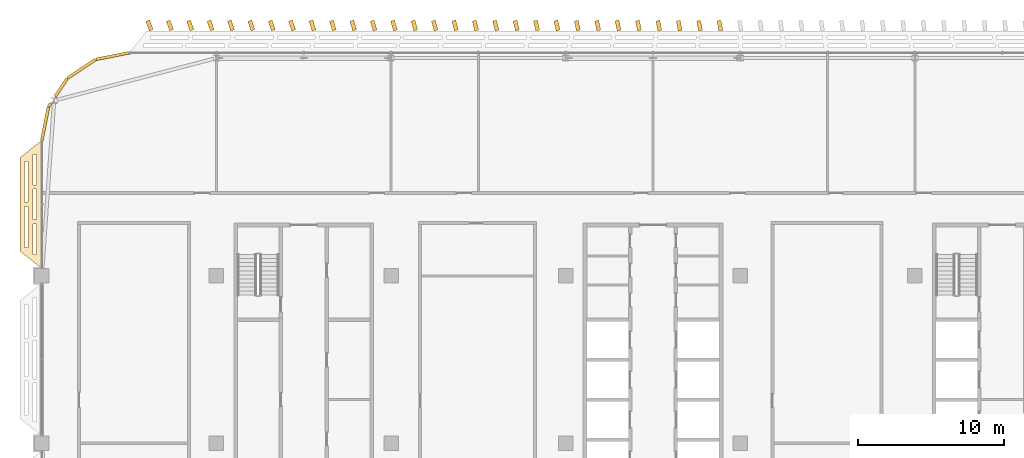
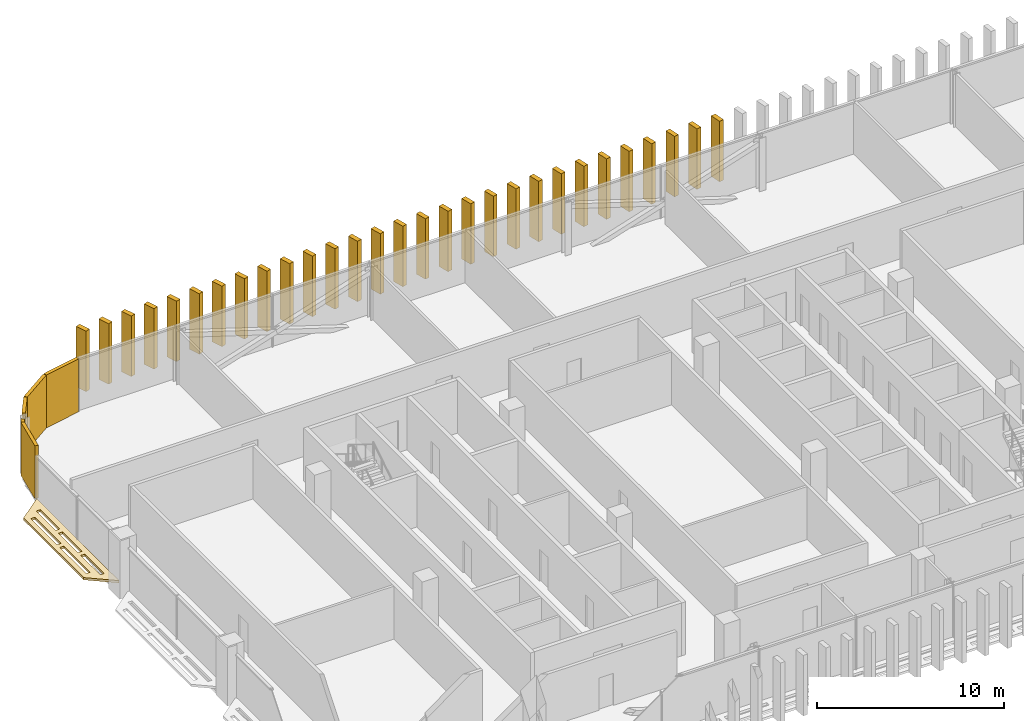
# One storey, part 32 of 35: 35 coverings.
"""IFC4 building model written with IfcOpenShell, lengths in metres."""

from ifc_helpers import new_model, si_unit, direction, frame, origin, origin_2d, place, context, subcontext, project, spatial, polyline, rectangle, outline, extrude, material, layer, layer_set, type_object, element, save


model = new_model("IFC4")

# Units and contexts
model_context = context("Model", 3, precision=1e-05, world=origin(), true_north=direction((0.0, 1.0)))
body_context = subcontext(model_context, "Body", "Model", "MODEL_VIEW")
ifc_project = project(units=[si_unit("LENGTHUNIT", "METRE"), si_unit("AREAUNIT", "SQUARE_METRE"), si_unit("VOLUMEUNIT", "CUBIC_METRE"), si_unit("PLANEANGLEUNIT", "RADIAN"), si_unit("MASSUNIT", "GRAM", prefix="KILO")], contexts=[model_context])

# Site, building, storey
site_placement = place(None, origin())
site = spatial("IfcSite", under=ifc_project, at=site_placement, CompositionType="ELEMENT")
building_placement = place(site_placement, origin())
building = spatial("IfcBuilding", under=site, at=building_placement, Name="Mahtab Terrace Research Tower", CompositionType="ELEMENT")
storey_placement = place(building_placement, frame((0.0, 0.0, 251.39990234375)))
storey = spatial("IfcBuildingStorey", under=building, at=storey_placement, Name="L61", CompositionType="ELEMENT", Elevation=251.39990234375)

# Coverings
ifc_material_1 = material(Name="Black aluminium cladding panel", Category="aluminium")
ifc_layer_1 = layer(ifc_material_1, 0.199951171875)
ifc_layer_set_1 = layer_set([ifc_layer_1], Name="Black metal corner cladding 200")
covering_type_1 = type_object("IfcCoveringType", Name="Black metal corner cladding 200", PredefinedType="CLADDING", material=ifc_layer_set_1)
for number, where, z_axis, x_axis, name in (
    (1, (-37.14794921875, 26.60546875, 0.0), (0.0, 0.0, 1.0), (-0.980760981187, -0.195212442692, 0.0), "Corner cladding L61 5"),
    (2, (-39.26953125, 25.72705078125, 0.0), (0.0, 0.0, 1.0), (-0.831655794326, -0.555291490808, 0.0), "Corner cladding L61 6"),
):
    element("IfcCovering", number, at=place(storey_placement, frame(where, z_axis=z_axis, x_axis=x_axis)), inside=storey, type_object=covering_type_1, Name=name, PredefinedType="CLADDING", context=body_context, shape_type="SweptSolid", body=[
        extrude(rectangle(XDim=2.30126953125, YDim=0.199951171875, at=origin_2d()), origin(), (0.0, 0.0, 1.0), 3.4599609375),
    ])
covering_1_placement = place(storey_placement, frame((-40.668212890625, 24.440185546875, 0.0), z_axis=(0.0, 0.0, 1.0), x_axis=(-0.555291490808, -0.831655794326, 0.0)))
element("IfcCovering", 3, at=covering_1_placement, inside=storey, type_object=covering_type_1, Name="Corner cladding L61 7", PredefinedType="CLADDING", context=body_context, shape_type="SweptSolid", body=[
    extrude(rectangle(XDim=1.491455078125, YDim=0.199951171875, at=origin_2d()), origin(), (0.0, 0.0, 1.0), 3.4599609375),
])
covering_2_placement = place(storey_placement, frame((-41.45849609375, 23.256591796875, 0.0), z_axis=(0.0, 0.0, 1.0), x_axis=(-0.555291490808, -0.831655794326, 0.0)))
element("IfcCovering", 4, at=covering_2_placement, inside=storey, type_object=covering_type_1, Name="Corner cladding L61 8", PredefinedType="CLADDING", context=body_context, shape_type="SweptSolid", body=[
    extrude(rectangle(XDim=0.2841796875, YDim=0.199951171875, at=origin_2d()), origin(), (0.0, 0.0, 1.0), 3.4599609375),
])
covering_3_placement = place(storey_placement, frame((-41.771484375, 21.98193359375, 0.0), z_axis=(0.0, 0.0, 1.0), x_axis=(-0.195212442692, -0.980760981187, 0.0)))
element("IfcCovering", 5, at=covering_3_placement, inside=storey, type_object=covering_type_1, Name="Corner cladding L61 9", PredefinedType="CLADDING", context=body_context, shape_type="SweptSolid", body=[
    extrude(rectangle(XDim=2.30126953125, YDim=0.199951171875, at=origin_2d()), origin(), (0.0, 0.0, 1.0), 3.4599609375),
])
ifc_material_2 = material(Name="Black anodised aluminium", Category="aluminium")
ifc_layer_2 = layer(ifc_material_2, 0.14990234375)
ifc_layer_set_2 = layer_set([ifc_layer_2], Name="Horizontal sunshade band")
covering_type_2 = type_object("IfcCoveringType", Name="Horizontal sunshade band", PredefinedType="CLADDING", material=ifc_layer_set_2)
covering_4_placement = place(storey_placement, frame((0.0, 0.0, -0.14990234375)))
element("IfcCovering", 6, at=covering_4_placement, inside=storey, type_object=covering_type_2, Name="Sunshade band L61 10", PredefinedType="CLADDING", context=body_context, shape_type="SweptSolid", body=[
    extrude(outline(polyline([(-42.0, 20.833984375), (-42.0, 12.0), (-43.5, 13.199951171875), (-43.5, 19.634033203125), (-42.0, 20.833984375)]), holes=[polyline([(-42.35009765625, 19.85400390625), (-42.35009765625, 17.762939453125), (-42.60009765625, 17.762939453125), (-42.60009765625, 19.85400390625), (-42.35009765625, 19.85400390625)]), polyline([(-42.35009765625, 17.462890625), (-42.35009765625, 15.37109375), (-42.60009765625, 15.37109375), (-42.60009765625, 17.462890625), (-42.35009765625, 17.462890625)]), polyline([(-42.35009765625, 15.071044921875), (-42.35009765625, 12.97998046875), (-42.60009765625, 12.97998046875), (-42.60009765625, 15.071044921875), (-42.35009765625, 15.071044921875)]), polyline([(-42.949951171875, 19.3740234375), (-42.949951171875, 16.56689453125), (-43.199951171875, 16.56689453125), (-43.199951171875, 19.3740234375), (-42.949951171875, 19.3740234375)]), polyline([(-42.949951171875, 16.26708984375), (-42.949951171875, 13.4599609375), (-43.199951171875, 13.4599609375), (-43.199951171875, 16.26708984375), (-42.949951171875, 16.26708984375)])]), origin(), (0.0, 0.0, 1.0), 0.14990234375),
])
ifc_material_3 = material(Name="Bronze anodised aluminium", Category="aluminium")
ifc_layer_3 = layer(ifc_material_3, 0.1201171875)
ifc_layer_set_3 = layer_set([ifc_layer_3], Name="Vertical fin 700")
covering_type_3 = type_object("IfcCoveringType", Name="Vertical fin 700", PredefinedType="CLADDING", material=ifc_layer_set_3)
for number, where, z_axis, x_axis, name in (
    (7, (4.60009765625, 28.703369140625, -0.14990234375), (0.0, 0.0, 1.0), (-0.983780848524, -0.179374585932, 0.0), "Fin L61 N31"),
    (8, (3.199951171875, 28.703857421875, -0.14990234375), (0.0, 0.0, 1.0), (-0.982720646705, -0.18509492305, 0.0), "Fin L61 N32"),
    (9, (1.800048828125, 28.704345703125, -0.14990234375), (0.0, 0.0, 1.0), (-0.981627183448, -0.190808995377, 0.0), "Fin L61 N33"),
    (10, (0.39990234375, 28.70458984375, -0.14990234375), (0.0, 0.0, 1.0), (-0.980500495757, -0.196516609527, 0.0), "Fin L61 N34"),
    (11, (-1.0, 28.705078125, -0.14990234375), (0.0, 0.0, 1.0), (-0.979340621764, -0.202217572338, 0.0), "Fin L61 N35"),
    (12, (-2.39990234375, 28.70556640625, -0.14990234375), (0.0, 0.0, 1.0), (-0.978147600734, -0.207911690818, 0.0), "Fin L61 N36"),
    (13, (-3.800048828125, 28.705810546875, -0.14990234375), (0.0, 0.0, 1.0), (-0.976921473041, -0.21359877226, 0.0), "Fin L61 N37"),
    (14, (-5.199951171875, 28.706298828125, -0.14990234375), (0.0, 0.0, 1.0), (-0.975662280183, -0.219278624194, 0.0), "Fin L61 N38"),
    (15, (-6.60009765625, 28.70654296875, -0.14990234375), (0.0, 0.0, 1.0), (-0.974370064785, -0.224951054344, 0.0), "Fin L61 N39"),
    (16, (-8.0, 28.706787109375, -0.14990234375), (0.0, 0.0, 1.0), (-0.973044870581, -0.230615870737, 0.0), "Fin L61 N40"),
    (17, (-9.39990234375, 28.707275390625, -0.14990234375), (0.0, 0.0, 1.0), (-0.97168674242, -0.236272881656, 0.0), "Fin L61 N41"),
    (18, (-10.800048828125, 28.70751953125, -0.14990234375), (0.0, 0.0, 1.0), (-0.970295726276, -0.2419218956, 0.0), "Fin L61 N42"),
    (19, (-12.199951171875, 28.707763671875, -0.14990234375), (0.0, 0.0, 1.0), (-0.968871869227, -0.247562721386, 0.0), "Fin L61 N43"),
    (20, (-13.60009765625, 28.7080078125, -0.14990234375), (0.0, 0.0, 1.0), (-0.967415219461, -0.25319516811, 0.0), "Fin L61 N44"),
    (21, (-15.0, 28.708251953125, -0.14990234375), (0.0, 0.0, 1.0), (-0.965925826289, -0.258819045103, 0.0), "Fin L61 N45"),
    (22, (-16.39990234375, 28.70849609375, -0.14990234375), (0.0, 0.0, 1.0), (-0.964403740116, -0.264434162032, 0.0), "Fin L61 N46"),
    (23, (-17.800048828125, 28.708740234375, -0.14990234375), (0.0, 0.0, 1.0), (-0.962849012456, -0.270040328864, 0.0), "Fin L61 N47"),
    (24, (-19.199951171875, 28.708984375, -0.14990234375), (0.0, 0.0, 1.0), (-0.961261695938, -0.275637355817, 0.0), "Fin L61 N48"),
    (25, (-20.60009765625, 28.709228515625, -0.14990234375), (0.0, 0.0, 1.0), (-0.959641844284, -0.28122505347, 0.0), "Fin L61 N49"),
    (26, (-22.0, 28.70947265625, -0.14990234375), (0.0, 0.0, 1.0), (-0.957989512314, -0.286803232717, 0.0), "Fin L61 N50"),
    (27, (-23.39990234375, 28.709716796875, -0.14990234375), (0.0, 0.0, 1.0), (-0.956304755963, -0.292371704723, 0.0), "Fin L61 N51"),
    (28, (-24.800048828125, 28.709716796875, -0.14990234375), (0.0, 0.0, 1.0), (-0.954587632249, -0.297930281033, 0.0), "Fin L61 N52"),
    (29, (-26.199951171875, 28.7099609375, -0.14990234375), (0.0, 0.0, 1.0), (-0.952838199286, -0.303478773527, 0.0), "Fin L61 N53"),
    (30, (-27.60009765625, 28.710205078125, -0.14990234375), (0.0, 0.0, 1.0), (-0.951056516295, -0.309016994375, 0.0), "Fin L61 N54"),
    (31, (-29.0, 28.710205078125, -0.14990234375), (0.0, 0.0, 1.0), (-0.949242643575, -0.314544756146, 0.0), "Fin L61 N55"),
    (32, (-30.39990234375, 28.71044921875, -0.14990234375), (0.0, 0.0, 1.0), (-0.947396642512, -0.320061871762, 0.0), "Fin L61 N56"),
    (33, (-31.800048828125, 28.71044921875, -0.14990234375), (0.0, 0.0, 1.0), (-0.945518575599, -0.325568154457, 0.0), "Fin L61 N57"),
    (34, (-33.199951171875, 28.710693359375, -0.14990234375), (0.0, 0.0, 1.0), (-0.943608506396, -0.331063417879, 0.0), "Fin L61 N58"),
    (35, (-34.60009765625, 28.710693359375, -0.14990234375), (0.0, 0.0, 1.0), (-0.941666499544, -0.336547476052, 0.0), "Fin L61 N59"),
):
    element("IfcCovering", number, at=place(storey_placement, frame(where, z_axis=z_axis, x_axis=x_axis)), inside=storey, type_object=covering_type_3, Name=name, PredefinedType="CLADDING", context=body_context, shape_type="SweptSolid", body=[
        extrude(rectangle(XDim=0.280029296875, YDim=0.699951171875, at=origin_2d()), origin(), (0.0, 0.0, 1.0), 3.949951171875),
    ])

save(model, "model.ifc")
